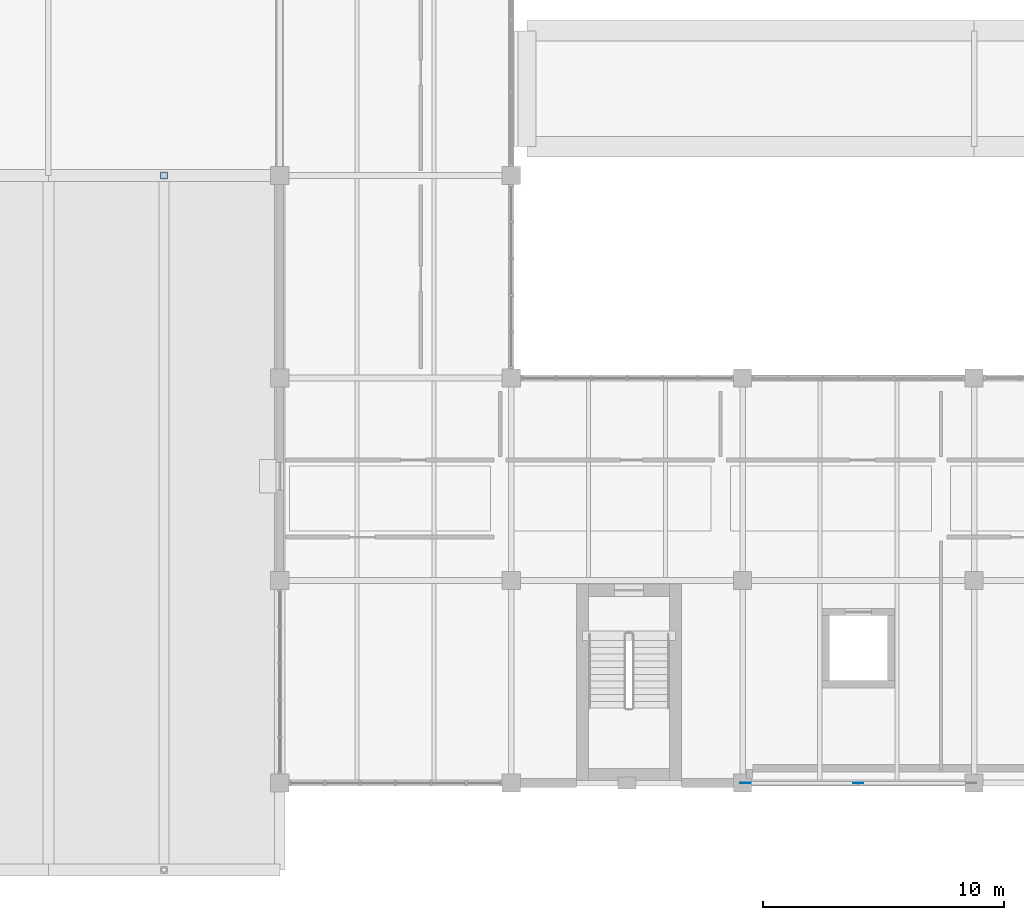
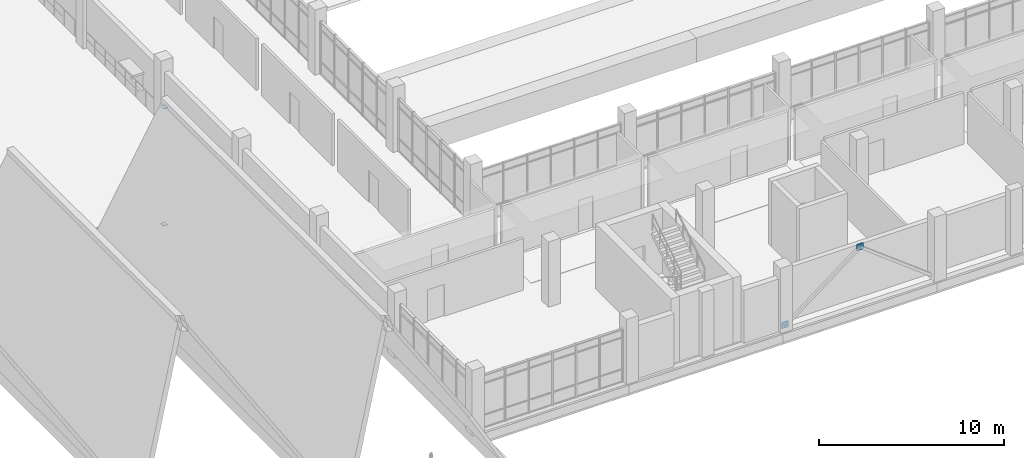
# One storey, part 49 of 86: 4 plates.
"""IFC4 building model written with IfcOpenShell, lengths in metres."""

from ifc_helpers import new_model, si_unit, direction, frame, origin, origin_2d, place, context, subcontext, project, spatial, rectangle, extrude, material, layer, layer_set, type_object, element, save


model = new_model("IFC4")

# Units and contexts
model_context = context("Model", 3, precision=1e-05, world=origin(), true_north=direction((0.0, 1.0)))
body_context = subcontext(model_context, "Body", "Model", "MODEL_VIEW")
ifc_project = project(units=[si_unit("LENGTHUNIT", "METRE"), si_unit("AREAUNIT", "SQUARE_METRE"), si_unit("VOLUMEUNIT", "CUBIC_METRE"), si_unit("PLANEANGLEUNIT", "RADIAN"), si_unit("MASSUNIT", "GRAM", prefix="KILO")], contexts=[model_context])

# Site, building, storey
site_placement = place(None, origin())
site = spatial("IfcSite", under=ifc_project, at=site_placement, CompositionType="ELEMENT")
building_placement = place(site_placement, origin())
building = spatial("IfcBuilding", under=site, at=building_placement, Name="Oolite Switchyard Hospital", CompositionType="ELEMENT")
storey_placement = place(building_placement, frame((0.0, 0.0, 13.5)))
storey = spatial("IfcBuildingStorey", under=building, at=storey_placement, Name="L03", CompositionType="ELEMENT", Elevation=13.5)

# Plates
ifc_material = material(Name="Steel ASTM A572 Grade 50", Category="steel")
ifc_layer_1 = layer(ifc_material, 0.02099609375)
ifc_layer_set_1 = layer_set([ifc_layer_1], Name="PLT-CAP-290")
plate_type_1 = type_object("IfcPlateType", Name="PLT-CAP-290", PredefinedType="SHEET", material=ifc_layer_set_1)
for number, where, z_axis, x_axis, name in (
    (1, (129.60009765625, 33.60009765625, -0.021484375), (0.0, 0.0, 1.0), (1.0, 0.0, 0.0), "L03 King-Post Base Plate N7"),
    (2, (129.60009765625, 33.60009765625, 7.700439453125), (0.0, 0.0, 1.0), (1.0, 0.0, 0.0), "L03 King-Post Cap Plate N7"),
):
    element("IfcPlate", number, at=place(storey_placement, frame(where, z_axis=z_axis, x_axis=x_axis)), inside=storey, type_object=plate_type_1, Name=name, PredefinedType="SHEET", context=body_context, shape_type="SweptSolid", body=[
        extrude(rectangle(XDim=0.2900390625, YDim=0.2900390625, at=origin_2d()), origin(), (0.0, 0.0, 1.0), 0.02099609375),
    ])
ifc_layer_2 = layer(ifc_material, 0.028076171875)
ifc_layer_set_2 = layer_set([ifc_layer_2], Name="PLT-GUS-420")
plate_type_2 = type_object("IfcPlateType", Name="PLT-GUS-420", PredefinedType="SHEET", material=ifc_layer_set_2)
for number, where, z_axis, x_axis, name in (
    (3, (153.719970703125, 8.39990234375, -0.010009765625), (0.0, 0.0, 1.0), (1.0, 0.0, 0.0), "L03 Brace Base Gusset Plate 100"),
    (4, (158.39990234375, 8.39990234375, 3.489990234375), (0.0, 0.0, 1.0), (1.0, 0.0, 0.0), "L03 Gusset Connection Plate 102"),
):
    element("IfcPlate", number, at=place(storey_placement, frame(where, z_axis=z_axis, x_axis=x_axis)), inside=storey, type_object=plate_type_2, Name=name, PredefinedType="SHEET", context=body_context, shape_type="SweptSolid", body=[
        extrude(rectangle(XDim=0.419921875, YDim=0.028076171875, at=origin_2d()), origin(), (0.0, 0.0, 1.0), 0.419921875),
    ])

save(model, "model.ifc")
